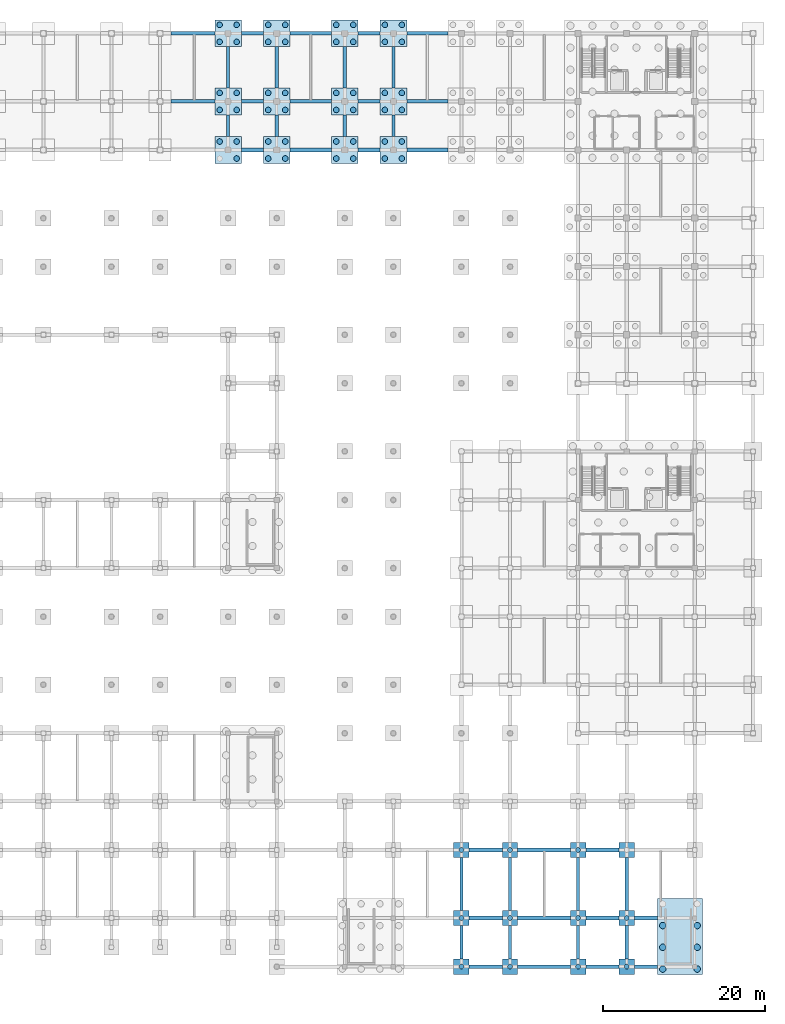
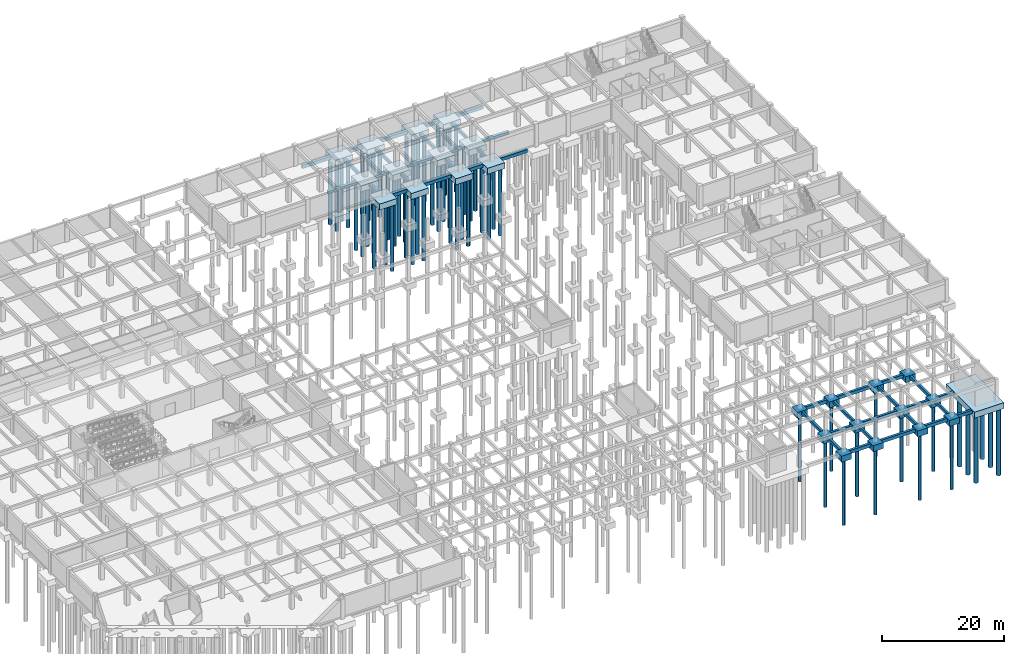
# One storey, part 10 of 40: 66 footings, 64 piles.
"""IFC4 building model written with IfcOpenShell, lengths in metres."""

import ifcopenshell
import ifcopenshell.guid

model = None  # the IFC model being written
_history = None  # IfcOwnerHistory: only IFC2X3 demands one
_inside = {}  # id of a spatial element -> (the spatial element, [elements in it])
_under = {}  # id of a project, library or spatial element -> (it, [spatial elements below it])
_declared = {}  # id of a project -> (the project, [libraries it declares])
_typed = {}  # id of a type object -> (the type object, [elements of that type])
_made_of = {}  # id of a material, layer set ... -> (it, [elements and type objects made of it])


def new_model(schema):
    """Start an empty IFC model of exactly this schema.

    Asked for "IFC4X3", IfcOpenShell would pick the latest addendum, in which some entities
    have other attributes; the version numbers below select the first issue.
    IFC2X3 requires an IfcOwnerHistory on every rooted entity: one is made here for all.
    """
    global model, _history
    if schema == "IFC4X3":
        model = ifcopenshell.file(schema_version=(4, 3, 0, 0))
    else:
        model = ifcopenshell.file(schema=schema)
    _inside.clear()
    _under.clear()
    _declared.clear()
    _typed.clear()
    _made_of.clear()
    _history = None
    if model.schema == "IFC2X3":
        org = make("IfcOrganization", Name="unknown")
        user = make(
            "IfcPersonAndOrganization",
            ThePerson=make("IfcPerson", FamilyName="unknown"),
            TheOrganization=org,
        )
        app = make(
            "IfcApplication",
            ApplicationDeveloper=org,
            Version="unknown",
            ApplicationFullName="unknown",
            ApplicationIdentifier="unknown",
        )
        _history = make(
            "IfcOwnerHistory",
            OwningUser=user,
            OwningApplication=app,
            ChangeAction="ADDED",
            CreationDate=0,
        )
    return model


def make(cls, **values):
    """One entity of the class cls with the attributes given. An attribute that is None is left unset."""
    return model.create_entity(
        cls, **{name: value for name, value in values.items() if value is not None}
    )


def rooted(cls, **values):
    """An entity with a GlobalId (a new one), such as an element, a storey or a relation."""
    return make(cls, GlobalId=ifcopenshell.guid.new(), OwnerHistory=_history, **values)


def si_unit(unit_type, name, prefix=None):
    """IfcSIUnit, for example si_unit("LENGTHUNIT", "METRE", prefix="MILLI")."""
    return make("IfcSIUnit", UnitType=unit_type, Prefix=prefix, Name=name)


def assignment(units):
    """IfcUnitAssignment: the units of a project."""
    return None if units is None else make("IfcUnitAssignment", Units=units)


def point(xyz):
    """IfcCartesianPoint."""
    return None if xyz is None else make("IfcCartesianPoint", Coordinates=xyz)


def direction(xyz):
    """IfcDirection."""
    return None if xyz is None else make("IfcDirection", DirectionRatios=xyz)


def frame(location, z_axis=None, x_axis=None):
    """IfcAxis2Placement3D, a coordinate frame: its origin and axes. An axis left out is left unset."""
    return make(
        "IfcAxis2Placement3D",
        Location=point(location),
        Axis=direction(z_axis),
        RefDirection=direction(x_axis),
    )


def frame_2d(location, x_axis=None):
    """IfcAxis2Placement2D, a coordinate frame in the plane: its origin and x axis."""
    return make(
        "IfcAxis2Placement2D", Location=point(location), RefDirection=direction(x_axis)
    )


def origin():
    """The frame at (0, 0, 0) with its axes left unset."""
    return frame((0.0, 0.0, 0.0))


def origin_2d():
    """The frame at (0, 0) in the plane with its x axis left unset."""
    return frame_2d((0.0, 0.0))


def place(relative_to, where):
    """IfcLocalPlacement: puts the frame where relative to a parent placement (None: the world)."""
    return make(
        "IfcLocalPlacement", PlacementRelTo=relative_to, RelativePlacement=where
    )


def context(
    kind, dimensions, precision=None, world=None, true_north=None, identifier=None
):
    """IfcGeometricRepresentationContext, for example the 3D "Model" context."""
    return make(
        "IfcGeometricRepresentationContext",
        ContextIdentifier=identifier,
        ContextType=kind,
        CoordinateSpaceDimension=dimensions,
        Precision=precision,
        WorldCoordinateSystem=world,
        TrueNorth=true_north,
    )


def subcontext(parent, identifier, kind, view, scale=None):
    """IfcGeometricRepresentationSubContext, for example "Body" below "Model"."""
    return make(
        "IfcGeometricRepresentationSubContext",
        ContextIdentifier=identifier,
        ContextType=kind,
        ParentContext=parent,
        TargetScale=scale,
        TargetView=view,
    )


def project(units=None, contexts=None):
    """IfcProject with its units and contexts."""
    return rooted(
        "IfcProject",
        Name="project",
        RepresentationContexts=contexts,
        UnitsInContext=assignment(units),
    )


def spatial(cls, under=None, at=None, **own):
    """A site, building, storey or space (cls), placed at a placement, below another one or the project."""
    s = rooted(cls, ObjectPlacement=at, **own)
    if under is not None:
        _under.setdefault(under.id(), (under, []))[1].append(s)
    return s


def profile(cls, at=None, kind="AREA", **sizes):
    """A parametric profile (cls). Its sizes go by their IFC names, for example OverallWidth=200.0."""
    return make(cls, ProfileType=kind, Position=at, **sizes)


def rectangle(**sizes):
    """IfcRectangleProfileDef."""
    return profile("IfcRectangleProfileDef", **sizes)


def circle(**sizes):
    """IfcCircleProfileDef."""
    return profile("IfcCircleProfileDef", **sizes)


def extrude(swept, where, along, depth):
    """IfcExtrudedAreaSolid: the profile swept, set in the frame where, extruded along a direction by depth."""
    return make(
        "IfcExtrudedAreaSolid",
        SweptArea=swept,
        Position=where,
        ExtrudedDirection=direction(along),
        Depth=depth,
    )


def shape(context_of_items, identifier, shape_type, items):
    """IfcShapeRepresentation: the items that make up one representation, for example the "Body"."""
    return make(
        "IfcShapeRepresentation",
        ContextOfItems=context_of_items,
        RepresentationIdentifier=identifier,
        RepresentationType=shape_type,
        Items=items,
    )


def material(Name=None, Category=None):
    """IfcMaterial."""
    return make("IfcMaterial", Name=Name, Category=Category)


def material_profile(
    of_material, cross_section, Name=None, Category=None, Priority=None
):
    """IfcMaterialProfile: a cross section and its material."""
    return make(
        "IfcMaterialProfile",
        Name=Name,
        Material=of_material,
        Profile=cross_section,
        Priority=Priority,
        Category=Category,
    )


def profile_set(profiles, Name=None, composite=None):
    """IfcMaterialProfileSet."""
    return make(
        "IfcMaterialProfileSet",
        Name=Name,
        MaterialProfiles=profiles,
        CompositeProfile=composite,
    )


def made_of(thing, what):
    """Note that an element or type object is made of a material, layer set ...; save() writes the relation."""
    if what is not None:
        _made_of.setdefault(what.id(), (what, []))[1].append(thing)
    return thing


def type_object(cls, material=None, **own):
    """A type object (cls), such as IfcWallType, which elements share."""
    return made_of(rooted(cls, **own), material)


def element(
    cls,
    number,
    at=None,
    inside=None,
    cuts=None,
    type_object=None,
    material=None,
    context=None,
    identifier="Body",
    shape_type=None,
    held_by="IfcProductDefinitionShape",
    body=None,
    shapes=None,
    **own,
):
    """One element of the class cls, such as IfcWall. Its Tag is "e" and its number.

    at: its placement. inside: the storey or other place that contains it. cuts: it is an
    opening in that element (IfcRelVoidsElement). A single representation is given by context,
    identifier, shape_type and body (its items); several are given by shapes. held_by: the class
    of the entity that holds the representations. save() writes the other relations.
    """
    e = rooted(cls, Tag="e%d" % number, ObjectPlacement=at, **own)
    if body is not None:
        shapes = [shape(context, identifier, shape_type, body)]
    if shapes is not None:
        e.Representation = make(held_by, Representations=shapes)
    if inside is not None:
        _inside.setdefault(inside.id(), (inside, []))[1].append(e)
    if cuts is not None:
        rooted(
            "IfcRelVoidsElement", RelatingBuildingElement=cuts, RelatedOpeningElement=e
        )
    if type_object is not None:
        _typed.setdefault(type_object.id(), (type_object, []))[1].append(e)
    return made_of(e, material)


def aggregate(whole, parts):
    """IfcRelAggregates: a whole, such as a stair, and the parts it consists of."""
    return rooted("IfcRelAggregates", RelatingObject=whole, RelatedObjects=parts)


def save(model, path):
    """Write the relations noted so far, then the file.

    IfcRelAggregates (storeys below a building ...), IfcRelContainedInSpatialStructure (elements
    in a storey), IfcRelDefinesByType, IfcRelAssociatesMaterial and IfcRelDeclares: one each for
    every whole, place, type object, material and project.
    """
    for whole, parts in _under.values():
        aggregate(whole, parts)
    for where, things in _inside.values():
        rooted(
            "IfcRelContainedInSpatialStructure",
            RelatedElements=things,
            RelatingStructure=where,
        )
    for kind, things in _typed.values():
        rooted("IfcRelDefinesByType", RelatedObjects=things, RelatingType=kind)
    for what, things in _made_of.values():
        rooted("IfcRelAssociatesMaterial", RelatedObjects=things, RelatingMaterial=what)
    for by, libraries in _declared.values():
        rooted("IfcRelDeclares", RelatingContext=by, RelatedDefinitions=libraries)
    model.write(path)


model = new_model("IFC4")

# Units and contexts
model_context = context("Model", 3, precision=1e-05, world=origin(), true_north=direction((0.0, 1.0)))
body_context = subcontext(model_context, "Body", "Model", "MODEL_VIEW")
ifc_project = project(units=[si_unit("LENGTHUNIT", "METRE"), si_unit("AREAUNIT", "SQUARE_METRE"), si_unit("VOLUMEUNIT", "CUBIC_METRE"), si_unit("PLANEANGLEUNIT", "RADIAN"), si_unit("MASSUNIT", "GRAM", prefix="KILO"), si_unit("THERMODYNAMICTEMPERATUREUNIT", "KELVIN")], contexts=[model_context])

# Site, building, storey
site_placement = place(None, origin())
site = spatial("IfcSite", under=ifc_project, at=site_placement, CompositionType="ELEMENT")
building_placement = place(site_placement, origin())
building = spatial("IfcBuilding", under=site, at=building_placement, Name="Thalorik Housing Commons", CompositionType="ELEMENT")
storey_placement = place(building_placement, frame((0.0, 0.0, -4.199951171875)))
storey = spatial("IfcBuildingStorey", under=building, at=storey_placement, Name="B1", CompositionType="ELEMENT", Elevation=-4.199951171875)

# Footings
ifc_material = material(Name="Concrete C40/50", Category="concrete")
footing_type_1 = type_object("IfcFootingType", Name="STR-CAP-1900x1900", PredefinedType="PILE_CAP", material=ifc_material)
for number, where, z_axis, x_axis, name in (
    (1, (138.0, 8.39990234375, -1.64990234375), (0.0, 0.0, 1.0), (1.0, 0.0, 0.0), "B1 Pile Cap 9"),
    (2, (144.0, 8.39990234375, -1.64990234375), (0.0, 0.0, 1.0), (1.0, 0.0, 0.0), "B1 Pile Cap 10"),
    (3, (152.39990234375, 8.39990234375, -1.64990234375), (0.0, 0.0, 1.0), (1.0, 0.0, 0.0), "B1 Pile Cap 11"),
    (4, (158.39990234375, 8.39990234375, -1.64990234375), (0.0, 0.0, 1.0), (1.0, 0.0, 0.0), "B1 Pile Cap 12"),
    (5, (138.0, 14.39990234375, -1.64990234375), (0.0, 0.0, 1.0), (1.0, 0.0, 0.0), "B1 Pile Cap 34"),
    (6, (144.0, 14.39990234375, -1.64990234375), (0.0, 0.0, 1.0), (1.0, 0.0, 0.0), "B1 Pile Cap 35"),
    (7, (152.39990234375, 14.39990234375, -1.64990234375), (0.0, 0.0, 1.0), (1.0, 0.0, 0.0), "B1 Pile Cap 36"),
    (8, (158.39990234375, 14.39990234375, -1.64990234375), (0.0, 0.0, 1.0), (1.0, 0.0, 0.0), "B1 Pile Cap 37"),
    (9, (138.0, 22.800048828125, -1.64990234375), (0.0, 0.0, 1.0), (1.0, 0.0, 0.0), "B1 Pile Cap 53"),
    (10, (144.0, 22.800048828125, -1.64990234375), (0.0, 0.0, 1.0), (1.0, 0.0, 0.0), "B1 Pile Cap 54"),
    (11, (152.39990234375, 22.800048828125, -1.64990234375), (0.0, 0.0, 1.0), (1.0, 0.0, 0.0), "B1 Pile Cap 55"),
    (12, (158.39990234375, 22.800048828125, -1.64990234375), (0.0, 0.0, 1.0), (1.0, 0.0, 0.0), "B1 Pile Cap 56"),
):
    element("IfcFooting", number, at=place(storey_placement, frame(where, z_axis=z_axis, x_axis=x_axis)), inside=storey, type_object=footing_type_1, Name=name, PredefinedType="PILE_CAP", context=body_context, shape_type="SweptSolid", body=[
        extrude(rectangle(XDim=1.89990234375, YDim=1.89990234375, at=origin_2d()), origin(), (0.0, 0.0, 1.0), 1.199951171875),
    ])
footing_type_2 = type_object("IfcFootingType", Name="STR-CAP-3300x3300", PredefinedType="PILE_CAP", material=ifc_material)
for number, where, z_axis, x_axis, name in (
    (13, (109.199951171875, 109.199951171875, -1.64990234375), (0.0, 0.0, 1.0), (1.0, 0.0, 0.0), "B1 Pile Cap 239"),
    (14, (115.199951171875, 109.199951171875, -1.64990234375), (0.0, 0.0, 1.0), (1.0, 0.0, 0.0), "B1 Pile Cap 240"),
    (15, (123.60009765625, 109.199951171875, -1.64990234375), (0.0, 0.0, 1.0), (1.0, 0.0, 0.0), "B1 Pile Cap 241"),
    (16, (129.60009765625, 109.199951171875, -1.64990234375), (0.0, 0.0, 1.0), (1.0, 0.0, 0.0), "B1 Pile Cap 242"),
    (17, (109.199951171875, 115.199951171875, -1.64990234375), (0.0, 0.0, 1.0), (1.0, 0.0, 0.0), "B1 Pile Cap 257"),
    (18, (115.199951171875, 115.199951171875, -1.64990234375), (0.0, 0.0, 1.0), (1.0, 0.0, 0.0), "B1 Pile Cap 258"),
    (19, (123.60009765625, 115.199951171875, -1.64990234375), (0.0, 0.0, 1.0), (1.0, 0.0, 0.0), "B1 Pile Cap 259"),
    (20, (129.60009765625, 115.199951171875, -1.64990234375), (0.0, 0.0, 1.0), (1.0, 0.0, 0.0), "B1 Pile Cap 260"),
    (21, (109.199951171875, 123.60009765625, -1.64990234375), (0.0, 0.0, 1.0), (1.0, 0.0, 0.0), "B1 Pile Cap 274"),
    (22, (115.199951171875, 123.60009765625, -1.64990234375), (0.0, 0.0, 1.0), (1.0, 0.0, 0.0), "B1 Pile Cap 275"),
    (23, (123.60009765625, 123.60009765625, -1.64990234375), (0.0, 0.0, 1.0), (1.0, 0.0, 0.0), "B1 Pile Cap 276"),
    (24, (129.60009765625, 123.60009765625, -1.64990234375), (0.0, 0.0, 1.0), (1.0, 0.0, 0.0), "B1 Pile Cap 277"),
):
    element("IfcFooting", number, at=place(storey_placement, frame(where, z_axis=z_axis, x_axis=x_axis)), inside=storey, type_object=footing_type_2, Name=name, PredefinedType="PILE_CAP", context=body_context, shape_type="SweptSolid", body=[
        extrude(rectangle(XDim=3.300048828125, YDim=3.300048828125, at=origin_2d()), origin(), (0.0, 0.0, 1.0), 1.199951171875),
    ])
footing_type_3 = type_object("IfcFootingType", Name="STR-CAP-5550x9350", PredefinedType="PILE_CAP", material=ifc_material)
footing_1_placement = place(storey_placement, frame((164.97509765625, 12.125, -1.64990234375), z_axis=(0.0, 0.0, 1.0), x_axis=(1.0, 0.0, 0.0)))
element("IfcFooting", 25, at=footing_1_placement, inside=storey, type_object=footing_type_3, Name="B1 Pile Cap 13", PredefinedType="PILE_CAP", context=body_context, shape_type="SweptSolid", body=[
    extrude(rectangle(XDim=5.550048828125, YDim=9.35009765625, at=origin_2d()), origin(), (0.0, 0.0, 1.0), 1.199951171875),
])
ifc_material_profile_1 = material_profile(ifc_material, rectangle(XDim=0.39990234375, YDim=0.60009765625, at=origin_2d()), Name="RC 400x600", Category="concrete")
ifc_profile_set_1 = profile_set([ifc_material_profile_1], Name="Concrete C40/50")
footing_type_4 = type_object("IfcFootingType", Name="STR-GB-400", PredefinedType="FOOTING_BEAM", material=ifc_profile_set_1)
footing_2_placement = place(storey_placement, frame((109.199951171875, 110.85009765625, -0.75), z_axis=(0.0, 1.0, 0.0), x_axis=(-1.0, 0.0, 0.0)))
element("IfcFooting", 26, at=footing_2_placement, inside=storey, type_object=footing_type_4, Name="B1 Ground Tie-Beam Y 429", PredefinedType="FOOTING_BEAM", context=body_context, shape_type="SweptSolid", body=[
    extrude(rectangle(XDim=0.39990234375, YDim=0.60009765625, at=origin_2d()), origin(), (0.0, 0.0, 1.0), 2.699951171875),
])
footing_3_placement = place(storey_placement, frame((109.199951171875, 116.85009765625, -0.75), z_axis=(0.0, 1.0, 0.0), x_axis=(-1.0, 0.0, 0.0)))
element("IfcFooting", 27, at=footing_3_placement, inside=storey, type_object=footing_type_4, Name="B1 Ground Tie-Beam Y 430", PredefinedType="FOOTING_BEAM", context=body_context, shape_type="SweptSolid", body=[
    extrude(rectangle(XDim=0.39990234375, YDim=0.60009765625, at=origin_2d()), origin(), (0.0, 0.0, 1.0), 5.099853515625),
])
footing_4_placement = place(storey_placement, frame((115.199951171875, 110.85009765625, -0.75), z_axis=(0.0, 1.0, 0.0), x_axis=(-1.0, 0.0, 0.0)))
element("IfcFooting", 28, at=footing_4_placement, inside=storey, type_object=footing_type_4, Name="B1 Ground Tie-Beam Y 437", PredefinedType="FOOTING_BEAM", context=body_context, shape_type="SweptSolid", body=[
    extrude(rectangle(XDim=0.39990234375, YDim=0.60009765625, at=origin_2d()), origin(), (0.0, 0.0, 1.0), 2.699951171875),
])
footing_5_placement = place(storey_placement, frame((115.199951171875, 116.85009765625, -0.75), z_axis=(0.0, 1.0, 0.0), x_axis=(-1.0, 0.0, 0.0)))
element("IfcFooting", 29, at=footing_5_placement, inside=storey, type_object=footing_type_4, Name="B1 Ground Tie-Beam Y 438", PredefinedType="FOOTING_BEAM", context=body_context, shape_type="SweptSolid", body=[
    extrude(rectangle(XDim=0.39990234375, YDim=0.60009765625, at=origin_2d()), origin(), (0.0, 0.0, 1.0), 5.099853515625),
])
footing_6_placement = place(storey_placement, frame((123.60009765625, 110.85009765625, -0.75), z_axis=(0.0, 1.0, 0.0), x_axis=(-1.0, 0.0, 0.0)))
element("IfcFooting", 30, at=footing_6_placement, inside=storey, type_object=footing_type_4, Name="B1 Ground Tie-Beam Y 441", PredefinedType="FOOTING_BEAM", context=body_context, shape_type="SweptSolid", body=[
    extrude(rectangle(XDim=0.39990234375, YDim=0.60009765625, at=origin_2d()), origin(), (0.0, 0.0, 1.0), 2.699951171875),
])
footing_7_placement = place(storey_placement, frame((123.60009765625, 116.85009765625, -0.75), z_axis=(0.0, 1.0, 0.0), x_axis=(-1.0, 0.0, 0.0)))
element("IfcFooting", 31, at=footing_7_placement, inside=storey, type_object=footing_type_4, Name="B1 Ground Tie-Beam Y 442", PredefinedType="FOOTING_BEAM", context=body_context, shape_type="SweptSolid", body=[
    extrude(rectangle(XDim=0.39990234375, YDim=0.60009765625, at=origin_2d()), origin(), (0.0, 0.0, 1.0), 5.099853515625),
])
footing_8_placement = place(storey_placement, frame((129.60009765625, 110.85009765625, -0.75), z_axis=(0.0, 1.0, 0.0), x_axis=(-1.0, 0.0, 0.0)))
element("IfcFooting", 32, at=footing_8_placement, inside=storey, type_object=footing_type_4, Name="B1 Ground Tie-Beam Y 445", PredefinedType="FOOTING_BEAM", context=body_context, shape_type="SweptSolid", body=[
    extrude(rectangle(XDim=0.39990234375, YDim=0.60009765625, at=origin_2d()), origin(), (0.0, 0.0, 1.0), 2.699951171875),
])
footing_9_placement = place(storey_placement, frame((129.60009765625, 116.85009765625, -0.75), z_axis=(0.0, 1.0, 0.0), x_axis=(-1.0, 0.0, 0.0)))
element("IfcFooting", 33, at=footing_9_placement, inside=storey, type_object=footing_type_4, Name="B1 Ground Tie-Beam Y 446", PredefinedType="FOOTING_BEAM", context=body_context, shape_type="SweptSolid", body=[
    extrude(rectangle(XDim=0.39990234375, YDim=0.60009765625, at=origin_2d()), origin(), (0.0, 0.0, 1.0), 5.099853515625),
])
footing_10_placement = place(storey_placement, frame((138.0, 9.35009765625, -0.75), z_axis=(0.0, 1.0, 0.0), x_axis=(-1.0, 0.0, 0.0)))
element("IfcFooting", 34, at=footing_10_placement, inside=storey, type_object=footing_type_4, Name="B1 Ground Tie-Beam Y 447", PredefinedType="FOOTING_BEAM", context=body_context, shape_type="SweptSolid", body=[
    extrude(rectangle(XDim=0.39990234375, YDim=0.60009765625, at=origin_2d()), origin(), (0.0, 0.0, 1.0), 4.099853515625),
])
footing_11_placement = place(storey_placement, frame((138.0, 15.35009765625, -0.75), z_axis=(0.0, 1.0, 0.0), x_axis=(-1.0, 0.0, 0.0)))
element("IfcFooting", 35, at=footing_11_placement, inside=storey, type_object=footing_type_4, Name="B1 Ground Tie-Beam Y 448", PredefinedType="FOOTING_BEAM", context=body_context, shape_type="SweptSolid", body=[
    extrude(rectangle(XDim=0.39990234375, YDim=0.60009765625, at=origin_2d()), origin(), (0.0, 0.0, 1.0), 6.5),
])
footing_12_placement = place(storey_placement, frame((144.0, 9.35009765625, -0.75), z_axis=(0.0, 1.0, 0.0), x_axis=(-1.0, 0.0, 0.0)))
element("IfcFooting", 36, at=footing_12_placement, inside=storey, type_object=footing_type_4, Name="B1 Ground Tie-Beam Y 457", PredefinedType="FOOTING_BEAM", context=body_context, shape_type="SweptSolid", body=[
    extrude(rectangle(XDim=0.39990234375, YDim=0.60009765625, at=origin_2d()), origin(), (0.0, 0.0, 1.0), 4.099853515625),
])
footing_13_placement = place(storey_placement, frame((144.0, 15.35009765625, -0.75), z_axis=(0.0, 1.0, 0.0), x_axis=(-1.0, 0.0, 0.0)))
element("IfcFooting", 37, at=footing_13_placement, inside=storey, type_object=footing_type_4, Name="B1 Ground Tie-Beam Y 458", PredefinedType="FOOTING_BEAM", context=body_context, shape_type="SweptSolid", body=[
    extrude(rectangle(XDim=0.39990234375, YDim=0.60009765625, at=origin_2d()), origin(), (0.0, 0.0, 1.0), 6.5),
])
footing_14_placement = place(storey_placement, frame((152.39990234375, 9.35009765625, -0.75), z_axis=(0.0, 1.0, 0.0), x_axis=(-1.0, 0.0, 0.0)))
element("IfcFooting", 38, at=footing_14_placement, inside=storey, type_object=footing_type_4, Name="B1 Ground Tie-Beam Y 467", PredefinedType="FOOTING_BEAM", context=body_context, shape_type="SweptSolid", body=[
    extrude(rectangle(XDim=0.39990234375, YDim=0.60009765625, at=origin_2d()), origin(), (0.0, 0.0, 1.0), 4.099853515625),
])
footing_15_placement = place(storey_placement, frame((152.39990234375, 15.35009765625, -0.75), z_axis=(0.0, 1.0, 0.0), x_axis=(-1.0, 0.0, 0.0)))
element("IfcFooting", 39, at=footing_15_placement, inside=storey, type_object=footing_type_4, Name="B1 Ground Tie-Beam Y 468", PredefinedType="FOOTING_BEAM", context=body_context, shape_type="SweptSolid", body=[
    extrude(rectangle(XDim=0.39990234375, YDim=0.60009765625, at=origin_2d()), origin(), (0.0, 0.0, 1.0), 6.5),
])
footing_16_placement = place(storey_placement, frame((158.39990234375, 9.35009765625, -0.75), z_axis=(0.0, 1.0, 0.0), x_axis=(-1.0, 0.0, 0.0)))
element("IfcFooting", 40, at=footing_16_placement, inside=storey, type_object=footing_type_4, Name="B1 Ground Tie-Beam Y 479", PredefinedType="FOOTING_BEAM", context=body_context, shape_type="SweptSolid", body=[
    extrude(rectangle(XDim=0.39990234375, YDim=0.60009765625, at=origin_2d()), origin(), (0.0, 0.0, 1.0), 4.099853515625),
])
footing_17_placement = place(storey_placement, frame((158.39990234375, 15.35009765625, -0.75), z_axis=(0.0, 1.0, 0.0), x_axis=(-1.0, 0.0, 0.0)))
element("IfcFooting", 41, at=footing_17_placement, inside=storey, type_object=footing_type_4, Name="B1 Ground Tie-Beam Y 480", PredefinedType="FOOTING_BEAM", context=body_context, shape_type="SweptSolid", body=[
    extrude(rectangle(XDim=0.39990234375, YDim=0.60009765625, at=origin_2d()), origin(), (0.0, 0.0, 1.0), 6.5),
])
ifc_material_profile_2 = material_profile(ifc_material, rectangle(XDim=0.449951171875, YDim=0.64990234375, at=origin_2d()), Name="RC 450x650", Category="concrete")
ifc_profile_set_2 = profile_set([ifc_material_profile_2], Name="Concrete C40/50")
footing_type_5 = type_object("IfcFootingType", Name="STR-GB-500", PredefinedType="FOOTING_BEAM", material=ifc_profile_set_2)
footing_18_placement = place(storey_placement, frame((138.949951171875, 8.39990234375, -0.775146484375), z_axis=(1.0, 0.0, 0.0), x_axis=(0.0, 1.0, 0.0)))
element("IfcFooting", 42, at=footing_18_placement, inside=storey, type_object=footing_type_5, Name="B1 Ground Tie-Beam X 8", PredefinedType="FOOTING_BEAM", context=body_context, shape_type="SweptSolid", body=[
    extrude(rectangle(XDim=0.449951171875, YDim=0.64990234375, at=origin_2d()), origin(), (0.0, 0.0, 1.0), 4.10009765625),
])
footing_19_placement = place(storey_placement, frame((144.949951171875, 8.39990234375, -0.775146484375), z_axis=(1.0, 0.0, 0.0), x_axis=(0.0, 1.0, 0.0)))
element("IfcFooting", 43, at=footing_19_placement, inside=storey, type_object=footing_type_5, Name="B1 Ground Tie-Beam X 9", PredefinedType="FOOTING_BEAM", context=body_context, shape_type="SweptSolid", body=[
    extrude(rectangle(XDim=0.449951171875, YDim=0.64990234375, at=origin_2d()), origin(), (0.0, 0.0, 1.0), 6.5),
])
footing_20_placement = place(storey_placement, frame((153.35009765625, 8.39990234375, -0.775146484375), z_axis=(1.0, 0.0, 0.0), x_axis=(0.0, 1.0, 0.0)))
element("IfcFooting", 44, at=footing_20_placement, inside=storey, type_object=footing_type_5, Name="B1 Ground Tie-Beam X 10", PredefinedType="FOOTING_BEAM", context=body_context, shape_type="SweptSolid", body=[
    extrude(rectangle(XDim=0.449951171875, YDim=0.64990234375, at=origin_2d()), origin(), (0.0, 0.0, 1.0), 4.099853515625),
])
footing_21_placement = place(storey_placement, frame((159.35009765625, 8.39990234375, -0.775146484375), z_axis=(1.0, 0.0, 0.0), x_axis=(0.0, 1.0, 0.0)))
element("IfcFooting", 45, at=footing_21_placement, inside=storey, type_object=footing_type_5, Name="B1 Ground Tie-Beam X 11", PredefinedType="FOOTING_BEAM", context=body_context, shape_type="SweptSolid", body=[
    extrude(rectangle(XDim=0.449951171875, YDim=0.64990234375, at=origin_2d()), origin(), (0.0, 0.0, 1.0), 2.849853515625),
])
footing_22_placement = place(storey_placement, frame((138.949951171875, 14.39990234375, -0.775146484375), z_axis=(1.0, 0.0, 0.0), x_axis=(0.0, 1.0, 0.0)))
element("IfcFooting", 46, at=footing_22_placement, inside=storey, type_object=footing_type_5, Name="B1 Ground Tie-Beam X 27", PredefinedType="FOOTING_BEAM", context=body_context, shape_type="SweptSolid", body=[
    extrude(rectangle(XDim=0.449951171875, YDim=0.64990234375, at=origin_2d()), origin(), (0.0, 0.0, 1.0), 4.10009765625),
])
footing_23_placement = place(storey_placement, frame((144.949951171875, 14.39990234375, -0.775146484375), z_axis=(1.0, 0.0, 0.0), x_axis=(0.0, 1.0, 0.0)))
element("IfcFooting", 47, at=footing_23_placement, inside=storey, type_object=footing_type_5, Name="B1 Ground Tie-Beam X 28", PredefinedType="FOOTING_BEAM", context=body_context, shape_type="SweptSolid", body=[
    extrude(rectangle(XDim=0.449951171875, YDim=0.64990234375, at=origin_2d()), origin(), (0.0, 0.0, 1.0), 6.5),
])
footing_24_placement = place(storey_placement, frame((153.35009765625, 14.39990234375, -0.775146484375), z_axis=(1.0, 0.0, 0.0), x_axis=(0.0, 1.0, 0.0)))
element("IfcFooting", 48, at=footing_24_placement, inside=storey, type_object=footing_type_5, Name="B1 Ground Tie-Beam X 29", PredefinedType="FOOTING_BEAM", context=body_context, shape_type="SweptSolid", body=[
    extrude(rectangle(XDim=0.449951171875, YDim=0.64990234375, at=origin_2d()), origin(), (0.0, 0.0, 1.0), 4.099853515625),
])
footing_25_placement = place(storey_placement, frame((159.35009765625, 14.39990234375, -0.775146484375), z_axis=(1.0, 0.0, 0.0), x_axis=(0.0, 1.0, 0.0)))
element("IfcFooting", 49, at=footing_25_placement, inside=storey, type_object=footing_type_5, Name="B1 Ground Tie-Beam X 30", PredefinedType="FOOTING_BEAM", context=body_context, shape_type="SweptSolid", body=[
    extrude(rectangle(XDim=0.449951171875, YDim=0.64990234375, at=origin_2d()), origin(), (0.0, 0.0, 1.0), 2.849853515625),
])
footing_26_placement = place(storey_placement, frame((138.949951171875, 22.800048828125, -0.775146484375), z_axis=(1.0, 0.0, 0.0), x_axis=(0.0, 1.0, 0.0)))
element("IfcFooting", 50, at=footing_26_placement, inside=storey, type_object=footing_type_5, Name="B1 Ground Tie-Beam X 47", PredefinedType="FOOTING_BEAM", context=body_context, shape_type="SweptSolid", body=[
    extrude(rectangle(XDim=0.449951171875, YDim=0.64990234375, at=origin_2d()), origin(), (0.0, 0.0, 1.0), 4.10009765625),
])
footing_27_placement = place(storey_placement, frame((144.949951171875, 22.800048828125, -0.775146484375), z_axis=(1.0, 0.0, 0.0), x_axis=(0.0, 1.0, 0.0)))
element("IfcFooting", 51, at=footing_27_placement, inside=storey, type_object=footing_type_5, Name="B1 Ground Tie-Beam X 48", PredefinedType="FOOTING_BEAM", context=body_context, shape_type="SweptSolid", body=[
    extrude(rectangle(XDim=0.449951171875, YDim=0.64990234375, at=origin_2d()), origin(), (0.0, 0.0, 1.0), 6.5),
])
footing_28_placement = place(storey_placement, frame((153.35009765625, 22.800048828125, -0.775146484375), z_axis=(1.0, 0.0, 0.0), x_axis=(0.0, 1.0, 0.0)))
element("IfcFooting", 52, at=footing_28_placement, inside=storey, type_object=footing_type_5, Name="B1 Ground Tie-Beam X 49", PredefinedType="FOOTING_BEAM", context=body_context, shape_type="SweptSolid", body=[
    extrude(rectangle(XDim=0.449951171875, YDim=0.64990234375, at=origin_2d()), origin(), (0.0, 0.0, 1.0), 4.099853515625),
])
footing_29_placement = place(storey_placement, frame((110.85009765625, 109.199951171875, -0.775146484375), z_axis=(1.0, 0.0, 0.0), x_axis=(0.0, 1.0, 0.0)))
element("IfcFooting", 53, at=footing_29_placement, inside=storey, type_object=footing_type_5, Name="B1 Ground Tie-Beam X 220", PredefinedType="FOOTING_BEAM", context=body_context, shape_type="SweptSolid", body=[
    extrude(rectangle(XDim=0.449951171875, YDim=0.64990234375, at=origin_2d()), origin(), (0.0, 0.0, 1.0), 2.699951171875),
])
footing_30_placement = place(storey_placement, frame((116.85009765625, 109.199951171875, -0.775146484375), z_axis=(1.0, 0.0, 0.0), x_axis=(0.0, 1.0, 0.0)))
element("IfcFooting", 54, at=footing_30_placement, inside=storey, type_object=footing_type_5, Name="B1 Ground Tie-Beam X 221", PredefinedType="FOOTING_BEAM", context=body_context, shape_type="SweptSolid", body=[
    extrude(rectangle(XDim=0.449951171875, YDim=0.64990234375, at=origin_2d()), origin(), (0.0, 0.0, 1.0), 5.099853515625),
])
footing_31_placement = place(storey_placement, frame((125.25, 109.199951171875, -0.775146484375), z_axis=(1.0, 0.0, 0.0), x_axis=(0.0, 1.0, 0.0)))
element("IfcFooting", 55, at=footing_31_placement, inside=storey, type_object=footing_type_5, Name="B1 Ground Tie-Beam X 222", PredefinedType="FOOTING_BEAM", context=body_context, shape_type="SweptSolid", body=[
    extrude(rectangle(XDim=0.449951171875, YDim=0.64990234375, at=origin_2d()), origin(), (0.0, 0.0, 1.0), 2.699951171875),
])
footing_32_placement = place(storey_placement, frame((131.25, 109.199951171875, -0.775146484375), z_axis=(1.0, 0.0, 0.0), x_axis=(0.0, 1.0, 0.0)))
element("IfcFooting", 56, at=footing_32_placement, inside=storey, type_object=footing_type_5, Name="B1 Ground Tie-Beam X 223", PredefinedType="FOOTING_BEAM", context=body_context, shape_type="SweptSolid", body=[
    extrude(rectangle(XDim=0.449951171875, YDim=0.64990234375, at=origin_2d()), origin(), (0.0, 0.0, 1.0), 5.10009765625),
])
footing_33_placement = place(storey_placement, frame((102.14990234375, 115.199951171875, -0.775146484375), z_axis=(1.0, 0.0, 0.0), x_axis=(0.0, 1.0, 0.0)))
element("IfcFooting", 57, at=footing_33_placement, inside=storey, type_object=footing_type_5, Name="B1 Ground Tie-Beam X 237", PredefinedType="FOOTING_BEAM", context=body_context, shape_type="SweptSolid", body=[
    extrude(rectangle(XDim=0.449951171875, YDim=0.64990234375, at=origin_2d()), origin(), (0.0, 0.0, 1.0), 5.400146484375),
])
footing_34_placement = place(storey_placement, frame((110.85009765625, 115.199951171875, -0.775146484375), z_axis=(1.0, 0.0, 0.0), x_axis=(0.0, 1.0, 0.0)))
element("IfcFooting", 58, at=footing_34_placement, inside=storey, type_object=footing_type_5, Name="B1 Ground Tie-Beam X 238", PredefinedType="FOOTING_BEAM", context=body_context, shape_type="SweptSolid", body=[
    extrude(rectangle(XDim=0.449951171875, YDim=0.64990234375, at=origin_2d()), origin(), (0.0, 0.0, 1.0), 2.699951171875),
])
footing_35_placement = place(storey_placement, frame((116.85009765625, 115.199951171875, -0.775146484375), z_axis=(1.0, 0.0, 0.0), x_axis=(0.0, 1.0, 0.0)))
element("IfcFooting", 59, at=footing_35_placement, inside=storey, type_object=footing_type_5, Name="B1 Ground Tie-Beam X 239", PredefinedType="FOOTING_BEAM", context=body_context, shape_type="SweptSolid", body=[
    extrude(rectangle(XDim=0.449951171875, YDim=0.64990234375, at=origin_2d()), origin(), (0.0, 0.0, 1.0), 5.099853515625),
])
footing_36_placement = place(storey_placement, frame((125.25, 115.199951171875, -0.775146484375), z_axis=(1.0, 0.0, 0.0), x_axis=(0.0, 1.0, 0.0)))
element("IfcFooting", 60, at=footing_36_placement, inside=storey, type_object=footing_type_5, Name="B1 Ground Tie-Beam X 240", PredefinedType="FOOTING_BEAM", context=body_context, shape_type="SweptSolid", body=[
    extrude(rectangle(XDim=0.449951171875, YDim=0.64990234375, at=origin_2d()), origin(), (0.0, 0.0, 1.0), 2.699951171875),
])
footing_37_placement = place(storey_placement, frame((131.25, 115.199951171875, -0.775146484375), z_axis=(1.0, 0.0, 0.0), x_axis=(0.0, 1.0, 0.0)))
element("IfcFooting", 61, at=footing_37_placement, inside=storey, type_object=footing_type_5, Name="B1 Ground Tie-Beam X 241", PredefinedType="FOOTING_BEAM", context=body_context, shape_type="SweptSolid", body=[
    extrude(rectangle(XDim=0.449951171875, YDim=0.64990234375, at=origin_2d()), origin(), (0.0, 0.0, 1.0), 5.10009765625),
])
footing_38_placement = place(storey_placement, frame((102.14990234375, 123.60009765625, -0.775146484375), z_axis=(1.0, 0.0, 0.0), x_axis=(0.0, 1.0, 0.0)))
element("IfcFooting", 62, at=footing_38_placement, inside=storey, type_object=footing_type_5, Name="B1 Ground Tie-Beam X 255", PredefinedType="FOOTING_BEAM", context=body_context, shape_type="SweptSolid", body=[
    extrude(rectangle(XDim=0.449951171875, YDim=0.64990234375, at=origin_2d()), origin(), (0.0, 0.0, 1.0), 5.400146484375),
])
footing_39_placement = place(storey_placement, frame((110.85009765625, 123.60009765625, -0.775146484375), z_axis=(1.0, 0.0, 0.0), x_axis=(0.0, 1.0, 0.0)))
element("IfcFooting", 63, at=footing_39_placement, inside=storey, type_object=footing_type_5, Name="B1 Ground Tie-Beam X 256", PredefinedType="FOOTING_BEAM", context=body_context, shape_type="SweptSolid", body=[
    extrude(rectangle(XDim=0.449951171875, YDim=0.64990234375, at=origin_2d()), origin(), (0.0, 0.0, 1.0), 2.699951171875),
])
footing_40_placement = place(storey_placement, frame((116.85009765625, 123.60009765625, -0.775146484375), z_axis=(1.0, 0.0, 0.0), x_axis=(0.0, 1.0, 0.0)))
element("IfcFooting", 64, at=footing_40_placement, inside=storey, type_object=footing_type_5, Name="B1 Ground Tie-Beam X 257", PredefinedType="FOOTING_BEAM", context=body_context, shape_type="SweptSolid", body=[
    extrude(rectangle(XDim=0.449951171875, YDim=0.64990234375, at=origin_2d()), origin(), (0.0, 0.0, 1.0), 5.099853515625),
])
footing_41_placement = place(storey_placement, frame((125.25, 123.60009765625, -0.775146484375), z_axis=(1.0, 0.0, 0.0), x_axis=(0.0, 1.0, 0.0)))
element("IfcFooting", 65, at=footing_41_placement, inside=storey, type_object=footing_type_5, Name="B1 Ground Tie-Beam X 258", PredefinedType="FOOTING_BEAM", context=body_context, shape_type="SweptSolid", body=[
    extrude(rectangle(XDim=0.449951171875, YDim=0.64990234375, at=origin_2d()), origin(), (0.0, 0.0, 1.0), 2.699951171875),
])
footing_42_placement = place(storey_placement, frame((131.25, 123.60009765625, -0.775146484375), z_axis=(1.0, 0.0, 0.0), x_axis=(0.0, 1.0, 0.0)))
element("IfcFooting", 66, at=footing_42_placement, inside=storey, type_object=footing_type_5, Name="B1 Ground Tie-Beam X 259", PredefinedType="FOOTING_BEAM", context=body_context, shape_type="SweptSolid", body=[
    extrude(rectangle(XDim=0.449951171875, YDim=0.64990234375, at=origin_2d()), origin(), (0.0, 0.0, 1.0), 5.10009765625),
])

# Piles
ifc_material_profile_3 = material_profile(ifc_material, circle(Radius=0.300048828125, at=origin_2d()), Name="BORED PILE D600", Category="concrete")
ifc_profile_set_3 = profile_set([ifc_material_profile_3], Name="Concrete C40/50")
pile_type_1 = type_object("IfcPileType", Name="STR-PILE-D600", PredefinedType="BORED", material=ifc_profile_set_3)
for number, where, z_axis, x_axis, name in (
    (67, (138.0, 8.39990234375, -1.550048828125), (0.0, 0.0, -1.0), (1.0, 0.0, 0.0), "B1 Bored Pile 78"),
    (68, (144.0, 8.39990234375, -1.550048828125), (0.0, 0.0, -1.0), (1.0, 0.0, 0.0), "B1 Bored Pile 79"),
    (69, (152.39990234375, 8.39990234375, -1.550048828125), (0.0, 0.0, -1.0), (1.0, 0.0, 0.0), "B1 Bored Pile 80"),
    (70, (158.39990234375, 8.39990234375, -1.550048828125), (0.0, 0.0, -1.0), (1.0, 0.0, 0.0), "B1 Bored Pile 81"),
    (71, (138.0, 14.39990234375, -1.550048828125), (0.0, 0.0, -1.0), (1.0, 0.0, 0.0), "B1 Bored Pile 119"),
    (72, (144.0, 14.39990234375, -1.550048828125), (0.0, 0.0, -1.0), (1.0, 0.0, 0.0), "B1 Bored Pile 120"),
    (73, (152.39990234375, 14.39990234375, -1.550048828125), (0.0, 0.0, -1.0), (1.0, 0.0, 0.0), "B1 Bored Pile 121"),
    (74, (158.39990234375, 14.39990234375, -1.550048828125), (0.0, 0.0, -1.0), (1.0, 0.0, 0.0), "B1 Bored Pile 122"),
    (75, (138.0, 22.800048828125, -1.550048828125), (0.0, 0.0, -1.0), (1.0, 0.0, 0.0), "B1 Bored Pile 147"),
    (76, (144.0, 22.800048828125, -1.550048828125), (0.0, 0.0, -1.0), (1.0, 0.0, 0.0), "B1 Bored Pile 148"),
    (77, (152.39990234375, 22.800048828125, -1.550048828125), (0.0, 0.0, -1.0), (1.0, 0.0, 0.0), "B1 Bored Pile 149"),
):
    element("IfcPile", number, at=place(storey_placement, frame(where, z_axis=z_axis, x_axis=x_axis)), inside=storey, type_object=pile_type_1, Name=name, PredefinedType="BORED", context=body_context, shape_type="SweptSolid", body=[
        extrude(circle(Radius=0.300048828125, at=origin_2d()), origin(), (0.0, 0.0, 1.0), 13.449951171875),
    ])
ifc_material_profile_4 = material_profile(ifc_material, circle(Radius=0.35009765625, at=origin_2d()), Name="BORED PILE D700", Category="concrete")
ifc_profile_set_4 = profile_set([ifc_material_profile_4], Name="Concrete C40/50")
pile_type_2 = type_object("IfcPileType", Name="STR-PILE-D700", PredefinedType="BORED", material=ifc_profile_set_4)
for number, where, z_axis, x_axis, name in (
    (78, (108.14990234375, 110.25, -1.550048828125), (0.0, 0.0, -1.0), (1.0, 0.0, 0.0), "B1 Bored Pile 587"),
    (79, (110.25, 108.14990234375, -1.550048828125), (0.0, 0.0, -1.0), (1.0, 0.0, 0.0), "B1 Bored Pile 588"),
    (80, (110.25, 110.25, -1.550048828125), (0.0, 0.0, -1.0), (1.0, 0.0, 0.0), "B1 Bored Pile 589"),
    (81, (114.14990234375, 108.14990234375, -1.550048828125), (0.0, 0.0, -1.0), (1.0, 0.0, 0.0), "B1 Bored Pile 590"),
    (82, (114.14990234375, 110.25, -1.550048828125), (0.0, 0.0, -1.0), (1.0, 0.0, 0.0), "B1 Bored Pile 591"),
    (83, (116.25, 108.14990234375, -1.550048828125), (0.0, 0.0, -1.0), (1.0, 0.0, 0.0), "B1 Bored Pile 592"),
    (84, (116.25, 110.25, -1.550048828125), (0.0, 0.0, -1.0), (1.0, 0.0, 0.0), "B1 Bored Pile 593"),
    (85, (122.550048828125, 108.14990234375, -1.550048828125), (0.0, 0.0, -1.0), (1.0, 0.0, 0.0), "B1 Bored Pile 594"),
    (86, (122.550048828125, 110.25, -1.550048828125), (0.0, 0.0, -1.0), (1.0, 0.0, 0.0), "B1 Bored Pile 595"),
    (87, (124.64990234375, 108.14990234375, -1.550048828125), (0.0, 0.0, -1.0), (1.0, 0.0, 0.0), "B1 Bored Pile 596"),
    (88, (124.64990234375, 110.25, -1.550048828125), (0.0, 0.0, -1.0), (1.0, 0.0, 0.0), "B1 Bored Pile 597"),
    (89, (128.550048828125, 108.14990234375, -1.550048828125), (0.0, 0.0, -1.0), (1.0, 0.0, 0.0), "B1 Bored Pile 598"),
    (90, (128.550048828125, 110.25, -1.550048828125), (0.0, 0.0, -1.0), (1.0, 0.0, 0.0), "B1 Bored Pile 599"),
    (91, (130.64990234375, 108.14990234375, -1.550048828125), (0.0, 0.0, -1.0), (1.0, 0.0, 0.0), "B1 Bored Pile 600"),
    (92, (130.64990234375, 110.25, -1.550048828125), (0.0, 0.0, -1.0), (1.0, 0.0, 0.0), "B1 Bored Pile 601"),
    (93, (108.14990234375, 114.14990234375, -1.550048828125), (0.0, 0.0, -1.0), (1.0, 0.0, 0.0), "B1 Bored Pile 678"),
    (94, (108.14990234375, 116.25, -1.550048828125), (0.0, 0.0, -1.0), (1.0, 0.0, 0.0), "B1 Bored Pile 679"),
    (95, (110.25, 114.14990234375, -1.550048828125), (0.0, 0.0, -1.0), (1.0, 0.0, 0.0), "B1 Bored Pile 680"),
    (96, (110.25, 116.25, -1.550048828125), (0.0, 0.0, -1.0), (1.0, 0.0, 0.0), "B1 Bored Pile 681"),
    (97, (114.14990234375, 114.14990234375, -1.550048828125), (0.0, 0.0, -1.0), (1.0, 0.0, 0.0), "B1 Bored Pile 682"),
    (98, (114.14990234375, 116.25, -1.550048828125), (0.0, 0.0, -1.0), (1.0, 0.0, 0.0), "B1 Bored Pile 683"),
    (99, (116.25, 114.14990234375, -1.550048828125), (0.0, 0.0, -1.0), (1.0, 0.0, 0.0), "B1 Bored Pile 684"),
    (100, (116.25, 116.25, -1.550048828125), (0.0, 0.0, -1.0), (1.0, 0.0, 0.0), "B1 Bored Pile 685"),
    (101, (122.550048828125, 114.14990234375, -1.550048828125), (0.0, 0.0, -1.0), (1.0, 0.0, 0.0), "B1 Bored Pile 686"),
    (102, (122.550048828125, 116.25, -1.550048828125), (0.0, 0.0, -1.0), (1.0, 0.0, 0.0), "B1 Bored Pile 687"),
    (103, (124.64990234375, 114.14990234375, -1.550048828125), (0.0, 0.0, -1.0), (1.0, 0.0, 0.0), "B1 Bored Pile 688"),
    (104, (124.64990234375, 116.25, -1.550048828125), (0.0, 0.0, -1.0), (1.0, 0.0, 0.0), "B1 Bored Pile 689"),
    (105, (128.550048828125, 114.14990234375, -1.550048828125), (0.0, 0.0, -1.0), (1.0, 0.0, 0.0), "B1 Bored Pile 690"),
    (106, (128.550048828125, 116.25, -1.550048828125), (0.0, 0.0, -1.0), (1.0, 0.0, 0.0), "B1 Bored Pile 691"),
    (107, (130.64990234375, 114.14990234375, -1.550048828125), (0.0, 0.0, -1.0), (1.0, 0.0, 0.0), "B1 Bored Pile 692"),
    (108, (130.64990234375, 116.25, -1.550048828125), (0.0, 0.0, -1.0), (1.0, 0.0, 0.0), "B1 Bored Pile 693"),
    (109, (108.14990234375, 122.550048828125, -1.550048828125), (0.0, 0.0, -1.0), (1.0, 0.0, 0.0), "B1 Bored Pile 725"),
    (110, (108.14990234375, 124.64990234375, -1.550048828125), (0.0, 0.0, -1.0), (1.0, 0.0, 0.0), "B1 Bored Pile 726"),
    (111, (110.25, 122.550048828125, -1.550048828125), (0.0, 0.0, -1.0), (1.0, 0.0, 0.0), "B1 Bored Pile 727"),
    (112, (110.25, 124.64990234375, -1.550048828125), (0.0, 0.0, -1.0), (1.0, 0.0, 0.0), "B1 Bored Pile 728"),
    (113, (114.14990234375, 122.550048828125, -1.550048828125), (0.0, 0.0, -1.0), (1.0, 0.0, 0.0), "B1 Bored Pile 729"),
    (114, (114.14990234375, 124.64990234375, -1.550048828125), (0.0, 0.0, -1.0), (1.0, 0.0, 0.0), "B1 Bored Pile 730"),
    (115, (116.25, 122.550048828125, -1.550048828125), (0.0, 0.0, -1.0), (1.0, 0.0, 0.0), "B1 Bored Pile 731"),
    (116, (116.25, 124.64990234375, -1.550048828125), (0.0, 0.0, -1.0), (1.0, 0.0, 0.0), "B1 Bored Pile 732"),
    (117, (122.550048828125, 122.550048828125, -1.550048828125), (0.0, 0.0, -1.0), (1.0, 0.0, 0.0), "B1 Bored Pile 733"),
    (118, (122.550048828125, 124.64990234375, -1.550048828125), (0.0, 0.0, -1.0), (1.0, 0.0, 0.0), "B1 Bored Pile 734"),
    (119, (124.64990234375, 122.550048828125, -1.550048828125), (0.0, 0.0, -1.0), (1.0, 0.0, 0.0), "B1 Bored Pile 735"),
    (120, (124.64990234375, 124.64990234375, -1.550048828125), (0.0, 0.0, -1.0), (1.0, 0.0, 0.0), "B1 Bored Pile 736"),
    (121, (128.550048828125, 122.550048828125, -1.550048828125), (0.0, 0.0, -1.0), (1.0, 0.0, 0.0), "B1 Bored Pile 737"),
    (122, (128.550048828125, 124.64990234375, -1.550048828125), (0.0, 0.0, -1.0), (1.0, 0.0, 0.0), "B1 Bored Pile 738"),
    (123, (130.64990234375, 122.550048828125, -1.550048828125), (0.0, 0.0, -1.0), (1.0, 0.0, 0.0), "B1 Bored Pile 739"),
    (124, (130.64990234375, 124.64990234375, -1.550048828125), (0.0, 0.0, -1.0), (1.0, 0.0, 0.0), "B1 Bored Pile 740"),
):
    element("IfcPile", number, at=place(storey_placement, frame(where, z_axis=z_axis, x_axis=x_axis)), inside=storey, type_object=pile_type_2, Name=name, PredefinedType="BORED", context=body_context, shape_type="SweptSolid", body=[
        extrude(circle(Radius=0.35009765625, at=origin_2d()), origin(), (0.0, 0.0, 1.0), 13.449951171875),
    ])
ifc_material_profile_5 = material_profile(ifc_material, circle(Radius=0.39990234375, at=origin_2d()), Name="BORED PILE D800", Category="concrete")
ifc_profile_set_5 = profile_set([ifc_material_profile_5], Name="Concrete C40/50")
pile_type_3 = type_object("IfcPileType", Name="STR-PILE-D800", PredefinedType="BORED", material=ifc_profile_set_5)
for number, where, z_axis, x_axis, name in (
    (125, (162.85009765625, 8.10009765625, -1.550048828125), (0.0, 0.0, -1.0), (1.0, 0.0, 0.0), "B1 Bored Pile 82"),
    (126, (162.85009765625, 10.783203125, -1.550048828125), (0.0, 0.0, -1.0), (1.0, 0.0, 0.0), "B1 Bored Pile 83"),
    (127, (162.85009765625, 13.466796875, -1.550048828125), (0.0, 0.0, -1.0), (1.0, 0.0, 0.0), "B1 Bored Pile 84"),
    (128, (167.10009765625, 8.10009765625, -1.550048828125), (0.0, 0.0, -1.0), (1.0, 0.0, 0.0), "B1 Bored Pile 86"),
    (129, (167.10009765625, 10.783203125, -1.550048828125), (0.0, 0.0, -1.0), (1.0, 0.0, 0.0), "B1 Bored Pile 87"),
    (130, (167.10009765625, 13.466796875, -1.550048828125), (0.0, 0.0, -1.0), (1.0, 0.0, 0.0), "B1 Bored Pile 88"),
):
    element("IfcPile", number, at=place(storey_placement, frame(where, z_axis=z_axis, x_axis=x_axis)), inside=storey, type_object=pile_type_3, Name=name, PredefinedType="BORED", context=body_context, shape_type="SweptSolid", body=[
        extrude(circle(Radius=0.39990234375, at=origin_2d()), origin(), (0.0, 0.0, 1.0), 13.449951171875),
    ])

save(model, "model.ifc")
